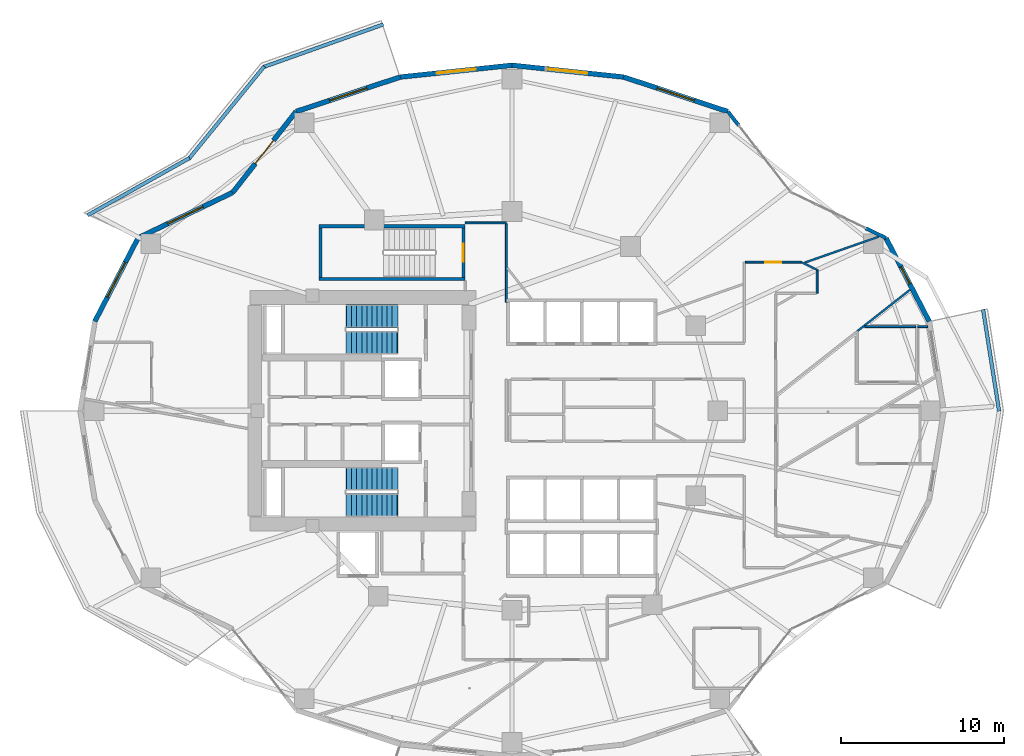
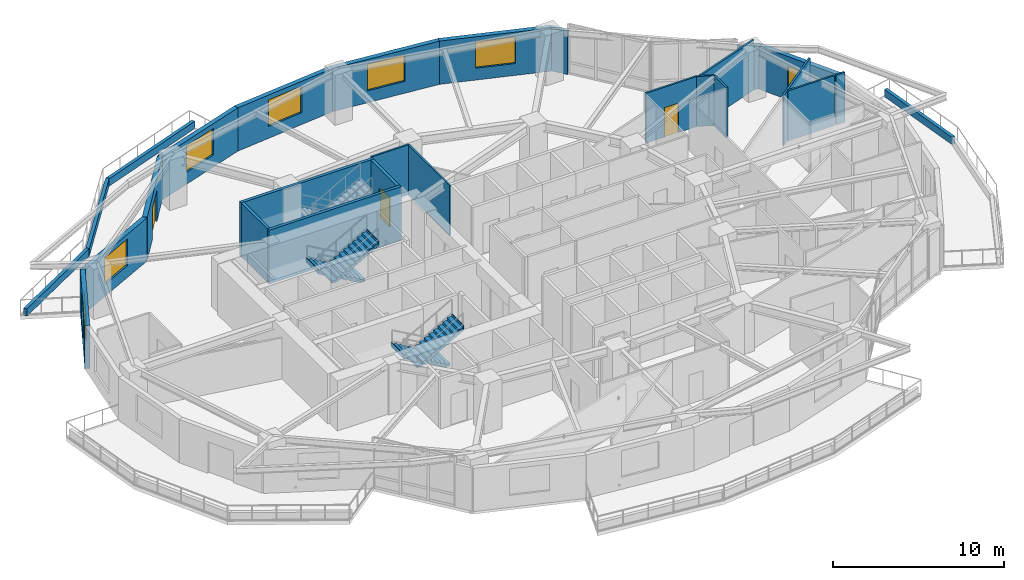
# One storey, part 12 of 19: 27 walls, 7 windows, 4 stair flights, 3 doors, 10 openings, 2 elements without a shape of their own.
"""IFC4 building model written with IfcOpenShell, lengths in metres."""

from ifc_helpers import new_model, si_unit, direction, frame, frame_2d, origin, place, context, subcontext, project, spatial, polyline, rectangle, outline, extrude, material, layer, layer_set, type_object, element, fill, aggregate, save


model = new_model("IFC4")

# Units and contexts
model_context = context("Model", 3, precision=1e-05, world=origin(), true_north=direction((0.0, 1.0)))
body_context = subcontext(model_context, "Body", "Model", "MODEL_VIEW")
ifc_project = project(units=[si_unit("LENGTHUNIT", "METRE"), si_unit("AREAUNIT", "SQUARE_METRE"), si_unit("VOLUMEUNIT", "CUBIC_METRE"), si_unit("PLANEANGLEUNIT", "RADIAN"), si_unit("MASSUNIT", "GRAM", prefix="KILO")], contexts=[model_context])

# Site, building, storey
site_placement = place(None, origin())
site = spatial("IfcSite", under=ifc_project, at=site_placement, CompositionType="ELEMENT")
building_placement = place(site_placement, origin())
building = spatial("IfcBuilding", under=site, at=building_placement, Name="Kolvaren Gate Tower and Convention Centre", CompositionType="ELEMENT")
storey_placement = place(building_placement, frame((0.0, 0.0, 68.85009765625)))
storey = spatial("IfcBuildingStorey", under=building, at=storey_placement, Name="L16", CompositionType="ELEMENT", Elevation=68.85009765625)

# Walls
ifc_material_1 = material(Name="Fire-Rated Acoustic Gypsum Stud Partition", Category="gypsum")
ifc_layer_1 = layer(ifc_material_1, 0.1201171875)
ifc_layer_set_1 = layer_set([ifc_layer_1], Name="Fire-Rated Acoustic Gypsum Stud Partition")
wall_type_1 = type_object("IfcWallType", Name="ARCH-WL-PART-120", PredefinedType="PARTITIONING", material=ifc_layer_set_1)
wall_1_placement = place(storey_placement, frame((27.25, 38.5, 0.0), z_axis=(0.0, 0.0, 1.0), x_axis=(1.0, 0.0, 0.0)))
element("IfcWall", 1, at=wall_1_placement, inside=storey, type_object=wall_type_1, Name="Interior Partition WL-L16-INT-027", PredefinedType="PARTITIONING", context=body_context, shape_type="SweptSolid", body=[
    extrude(rectangle(XDim=2.530029296875, YDim=0.1201171875, at=frame_2d((1.26513671875, 0.0))), origin(), (0.0, 0.0, 1.0), 3.56982421875),
])
wall_2_placement = place(storey_placement, frame((29.780029296875, 33.639892578125, 0.0), z_axis=(0.0, 0.0, 1.0), x_axis=(0.0, 1.0, 0.0)))
element("IfcWall", 2, at=wall_2_placement, inside=storey, type_object=wall_type_1, Name="Interior Partition WL-L16-INT-030", PredefinedType="PARTITIONING", context=body_context, shape_type="SweptSolid", body=[
    extrude(rectangle(XDim=4.798095703125, YDim=0.1201171875, at=frame_2d((2.39892578125, 0.0))), origin(), (0.0, 0.0, 1.0), 3.56982421875),
])

# Wall, opening, door
wall_3_placement = place(storey_placement, frame((44.412109375, 36.10009765625, 0.0), z_axis=(0.0, 0.0, 1.0), x_axis=(1.0, 0.0, 0.0)))
wall_3 = element("IfcWall", 3, at=wall_3_placement, inside=storey, type_object=wall_type_1, Name="Interior Partition WL-L16-INT-035", PredefinedType="PARTITIONING", context=body_context, shape_type="SweptSolid", body=[
    extrude(rectangle(XDim=3.411865234375, YDim=0.1201171875, at=frame_2d((1.7060546875, 0.0))), origin(), (0.0, 0.0, 1.0), 3.56982421875),
])
opening_1_placement = place(wall_3_placement, frame((1.23095703125, 0.0, 0.0)))
opening_1 = element("IfcOpeningElement", 4, at=opening_1_placement, cuts=wall_3, Name="Opening DR-01", PredefinedType="OPENING", context=body_context, shape_type="SweptSolid", body=[
    extrude(rectangle(XDim=0.949951171875, YDim=2.10009765625, at=frame_2d((0.47509765625, 1.050048828125))), frame((0.0, 0.070068359375, 0.0), z_axis=(0.0, -1.0, 0.0), x_axis=(1.0, 0.0, 0.0)), (0.0, 0.0, 1.0), 0.14013671875),
])
ifc_material_2 = material(Name="Painted Architectural Steelwork ASTM A500 Grade C 345 MPa", Category="steel")
door_type_1 = type_object("IfcDoorType", Name="ARCH-DR-RISER-950", OperationType="SINGLE_SWING_RIGHT", PredefinedType="DOOR", material=ifc_material_2)
door_1_placement = place(opening_1_placement, origin())
door_1 = element("IfcDoor", 5, at=door_1_placement, inside=storey, type_object=door_type_1, Name="Open-Plan Office Suite Door", OperationType="SINGLE_SWING_RIGHT", OverallHeight=2.10009765625, OverallWidth=0.949951171875, PredefinedType="DOOR", context=body_context, shape_type="SweptSolid", body=[
    extrude(rectangle(XDim=0.949951171875, YDim=2.10009765625, at=frame_2d((0.47509765625, 1.050048828125))), frame((0.0, 0.02490234375, 0.0), z_axis=(0.0, -1.0, 0.0), x_axis=(1.0, 0.0, 0.0)), (0.0, 0.0, 1.0), 0.050048828125),
])
fill(opening_1, door_1)

# Walls
wall_4_placement = place(storey_placement, frame((47.823974609375, 36.10009765625, 0.0), z_axis=(0.0, 0.0, 1.0), x_axis=(0.901350599951, -0.433090170712, 0.0)))
element("IfcWall", 6, at=wall_4_placement, inside=storey, type_object=wall_type_1, Name="Interior Partition WL-L16-INT-036", PredefinedType="PARTITIONING", context=body_context, shape_type="SweptSolid", body=[
    extrude(rectangle(XDim=1.0830078125, YDim=0.1201171875, at=frame_2d((0.54150390625, 0.0))), origin(), (0.0, 0.0, 1.0), 3.56982421875),
])
wall_5_placement = place(storey_placement, frame((48.800048828125, 34.179931640625, 0.0), z_axis=(0.0, 0.0, 1.0), x_axis=(0.0, 1.0, 0.0)))
element("IfcWall", 7, at=wall_5_placement, inside=storey, type_object=wall_type_1, Name="Interior Partition WL-L16-INT-037", PredefinedType="PARTITIONING", context=body_context, shape_type="SweptSolid", body=[
    extrude(rectangle(XDim=1.451171875, YDim=0.1201171875, at=frame_2d((0.7255859375, 0.0))), origin(), (0.0, 0.0, 1.0), 3.56982421875),
])
wall_6_placement = place(storey_placement, frame((51.25, 31.860107421875, 0.0), z_axis=(0.0, 0.0, 1.0), x_axis=(0.786318338822, 0.617821551932, 0.0)))
element("IfcWall", 8, at=wall_6_placement, inside=storey, type_object=wall_type_1, Name="Interior Partition WL-L16-INT-066 (2)", PredefinedType="PARTITIONING", context=body_context, shape_type="SweptSolid", body=[
    extrude(rectangle(XDim=4.120849609375, YDim=0.1201171875, at=frame_2d((2.060546875, 0.0))), origin(), (0.0, 0.0, 1.0), 3.56982421875),
])
wall_7_placement = place(storey_placement, frame((51.719482421875, 32.14990234375, 0.0), z_axis=(0.0, 0.0, 1.0), x_axis=(1.0, 0.0, 0.0)))
element("IfcWall", 9, at=wall_7_placement, inside=storey, type_object=wall_type_1, Name="Interior Partition WL-L16-INT-069", PredefinedType="PARTITIONING", context=body_context, shape_type="SweptSolid", body=[
    extrude(rectangle(XDim=3.118408203125, YDim=0.1201171875, at=frame_2d((1.55908203125, 0.0))), origin(), (0.0, 0.0, 1.0), 3.56982421875),
])
wall_8_placement = place(storey_placement, frame((54.9619140625, 32.14990234375, 0.0), z_axis=(0.0, 0.0, 1.0), x_axis=(1.0, 0.0, 0.0)))
element("IfcWall", 10, at=wall_8_placement, inside=storey, type_object=wall_type_1, Name="Interior Partition WL-L16-INT-069 (2)", PredefinedType="PARTITIONING", context=body_context, shape_type="SweptSolid", body=[
    extrude(rectangle(XDim=0.59912109375, YDim=0.1201171875, at=frame_2d((0.299560546875, 0.0))), origin(), (0.0, 0.0, 1.0), 3.56982421875),
])
wall_9_placement = place(storey_placement, frame((48.037841796875, 36.06591796875, 0.0), z_axis=(0.0, 0.0, 1.0), x_axis=(0.94378251996, 0.330567020463, 0.0)))
element("IfcWall", 11, at=wall_9_placement, inside=storey, type_object=wall_type_1, Name="Interior Partition WL-L16-INT-072", PredefinedType="PARTITIONING", context=body_context, shape_type="SweptSolid", body=[
    extrude(rectangle(XDim=4.81982421875, YDim=0.1201171875, at=frame_2d((2.409912109375, 0.0))), origin(), (0.0, 0.0, 1.0), 3.56982421875),
])
ifc_material_3 = material(Name="Bogota Sabana Bush-Hammered Sandstone Cladding", Category="masonry")
ifc_layer_2 = layer(ifc_material_3, 0.219970703125)
ifc_layer_set_2 = layer_set([ifc_layer_2], Name="Bogota Sabana Bush-Hammered Sandstone Cladding")
wall_type_2 = type_object("IfcWallType", Name="ARCH-WL-PIER-220", PredefinedType="SOLIDWALL", material=ifc_layer_set_2)
wall_10_placement = place(storey_placement, frame((51.77587890625, 38.173095703125, 0.0), z_axis=(0.0, 0.0, 1.0), x_axis=(0.90131879969, -0.433156347438, 0.0)))
element("IfcWall", 12, at=wall_10_placement, inside=storey, type_object=wall_type_2, Name="Tower L16 Unitised Curtain Wall CW-OFF-UNIT Bay 02 Right Column Pier Wrap", PredefinedType="SOLIDWALL", context=body_context, shape_type="SweptSolid", body=[
    extrude(rectangle(XDim=1.380859375, YDim=0.219970703125, at=frame_2d((0.6904296875, 0.0))), origin(), (0.0, 0.0, 1.0), 3.093017578125),
])
wall_11_placement = place(storey_placement, frame((43.34375, 45.31640625, 0.0), z_axis=(0.0, 0.0, 1.0), x_axis=(0.616387780378, -0.787442762492, 0.0)))
element("IfcWall", 13, at=wall_11_placement, inside=storey, type_object=wall_type_2, Name="Tower L16 Unitised Curtain Wall CW-OFF-UNIT Bay 03 Left Column Pier Wrap", PredefinedType="SOLIDWALL", context=body_context, shape_type="SweptSolid", body=[
    extrude(rectangle(XDim=1.076171875, YDim=0.219970703125, at=frame_2d((0.5380859375, 0.0))), origin(), (0.0, 0.0, 1.0), 3.093017578125),
])
ifc_material_4 = material(Name="Piedmont Cream Honed Limestone Cladding", Category="masonry")
ifc_layer_3 = layer(ifc_material_4, 0.219970703125)
ifc_layer_set_3 = layer_set([ifc_layer_3], Name="Piedmont Cream Honed Limestone Cladding")
wall_type_3 = type_object("IfcWallType", Name="ARCH-WL-PLANTER-220", PredefinedType="PARAPET", material=ifc_layer_set_3)
wall_12_placement = place(storey_placement, frame((14.89306640625, 48.035400390625, 0.0), z_axis=(0.0, 0.0, 1.0), x_axis=(0.942200211781, 0.335050385643, 0.0)))
element("IfcWall", 14, at=wall_12_placement, inside=storey, type_object=wall_type_3, Name="Vertical-Forest Balcony Stone Planter Kerb PK-L16-1.1", PredefinedType="PARAPET", context=body_context, shape_type="SweptSolid", body=[
    extrude(rectangle(XDim=7.806884765625, YDim=0.219970703125, at=frame_2d((3.9033203125, 0.0))), origin(), (0.0, 0.0, 1.0), 0.52001953125),
])
wall_13_placement = place(storey_placement, frame((10.335693359375, 42.411376953125, 0.0), z_axis=(0.0, 0.0, 1.0), x_axis=(0.631819273026, 0.775115737315, 0.0)))
element("IfcWall", 15, at=wall_13_placement, inside=storey, type_object=wall_type_3, Name="Vertical-Forest Balcony Stone Planter Kerb PK-L16-1.2", PredefinedType="PARAPET", context=body_context, shape_type="SweptSolid", body=[
    extrude(rectangle(XDim=7.31591796875, YDim=0.219970703125, at=frame_2d((3.657958984375, 0.0))), origin(), (0.0, 0.0, 1.0), 0.52001953125),
])
wall_14_placement = place(storey_placement, frame((4.14697265625, 38.965576171875, 0.0), z_axis=(0.0, 0.0, 1.0), x_axis=(0.871775109335, 0.489906275468, 0.0)))
element("IfcWall", 16, at=wall_14_placement, inside=storey, type_object=wall_type_3, Name="Vertical-Forest Balcony Stone Planter Kerb PK-L16-1.3", PredefinedType="PARAPET", context=body_context, shape_type="SweptSolid", body=[
    extrude(rectangle(XDim=7.152099609375, YDim=0.219970703125, at=frame_2d((3.576171875, 0.0))), origin(), (0.0, 0.0, 1.0), 0.52001953125),
])
wall_15_placement = place(storey_placement, frame((58.9619140625, 33.2119140625, 0.0), z_axis=(0.0, 0.0, 1.0), x_axis=(0.15545655238, -0.987842730561, 0.0)))
element("IfcWall", 17, at=wall_15_placement, inside=storey, type_object=wall_type_3, Name="Vertical-Forest Balcony Stone Planter Kerb PK-L16-4.3", PredefinedType="PARAPET", context=body_context, shape_type="SweptSolid", body=[
    extrude(rectangle(XDim=6.318115234375, YDim=0.219970703125, at=frame_2d((3.1591796875, 0.0))), origin(), (0.0, 0.0, 1.0), 0.52001953125),
])

# Wall, opening, window
ifc_layer_4 = layer(ifc_material_4, 0.300048828125)
ifc_layer_set_4 = layer_set([ifc_layer_4], Name="Piedmont Cream Honed Limestone Cladding")
wall_type_4 = type_object("IfcWallType", Name="ARCH-WL-STONE-300", PredefinedType="SOLIDWALL", material=ifc_layer_set_4)
wall_16_placement = place(storey_placement, frame((53.0205078125, 37.574951171875, 0.0), z_axis=(0.0, 0.0, 1.0), x_axis=(0.459800981414, -0.888021991558, 0.0)))
wall_16 = element("IfcWall", 18, at=wall_16_placement, inside=storey, type_object=wall_type_4, Name="Tower L16 Honed Stone Spandrel Wall EW-01", PredefinedType="SOLIDWALL", context=body_context, shape_type="SweptSolid", body=[
    extrude(rectangle(XDim=5.744140625, YDim=0.300048828125, at=frame_2d((2.8720703125, 0.0))), origin(), (0.0, 0.0, 1.0), 3.093017578125),
])
opening_2_placement = place(wall_16_placement, frame((1.97998046875, 0.0, 0.719970703125)))
opening_2 = element("IfcOpeningElement", 19, at=opening_2_placement, cuts=wall_16, Name="Opening W-04", PredefinedType="OPENING", context=body_context, shape_type="SweptSolid", body=[
    extrude(rectangle(XDim=1.199951171875, YDim=1.64990234375, at=frame_2d((0.60009765625, 0.824951171875))), frame((0.0, 0.159912109375, 0.0), z_axis=(0.0, -1.0, 0.0), x_axis=(1.0, 0.0, 0.0)), (0.0, 0.0, 1.0), 0.320068359375),
])
ifc_material_5 = material(Name="Low-E Triple Insulated Glazing Unit 44 mm", Category="glass")
window_type_1 = type_object("IfcWindowType", Name="ARCH-WN-NARROW-1200", PartitioningType="SINGLE_PANEL", PredefinedType="WINDOW", material=ifc_material_5)
window_1_placement = place(opening_2_placement, origin())
window_1 = element("IfcWindow", 20, at=window_1_placement, inside=storey, type_object=window_type_1, Name="Tower L16 Punched Stone Facade Window W-01", OverallHeight=1.64990234375, OverallWidth=1.199951171875, PartitioningType="SINGLE_PANEL", PredefinedType="WINDOW", context=body_context, shape_type="SweptSolid", body=[
    extrude(rectangle(XDim=1.199951171875, YDim=1.64990234375, at=frame_2d((0.60009765625, 0.824951171875))), frame((0.0, 0.030029296875, 0.0), z_axis=(0.0, -1.0, 0.0), x_axis=(1.0, 0.0, 0.0)), (0.0, 0.0, 1.0), 0.06005859375),
])
fill(opening_2, window_1)

wall_17_placement = place(storey_placement, frame((36.967529296875, 47.42919921875, 0.0), z_axis=(0.0, 0.0, 1.0), x_axis=(0.949245153629, -0.314537181127, 0.0)))
wall_17 = element("IfcWall", 21, at=wall_17_placement, inside=storey, type_object=wall_type_4, Name="Tower L16 Honed Stone Spandrel Wall EW-04", PredefinedType="SOLIDWALL", context=body_context, shape_type="SweptSolid", body=[
    extrude(rectangle(XDim=6.717041015625, YDim=0.300048828125, at=frame_2d((3.3583984375, 0.0))), origin(), (0.0, 0.0, 1.0), 3.093017578125),
])
opening_3_placement = place(wall_17_placement, frame((2.158935546875, 0.0, 0.85009765625)))
opening_3 = element("IfcOpeningElement", 22, at=opening_3_placement, cuts=wall_17, Name="Opening W-01", PredefinedType="OPENING", context=body_context, shape_type="SweptSolid", body=[
    extrude(rectangle(XDim=2.39990234375, YDim=1.89990234375, at=frame_2d((1.199951171875, 0.949951171875))), frame((0.0, 0.159912109375, 0.0), z_axis=(0.0, -1.0, 0.0), x_axis=(1.0, 0.0, 0.0)), (0.0, 0.0, 1.0), 0.320068359375),
])
window_type_2 = type_object("IfcWindowType", Name="ARCH-WN-OFF-2400", PartitioningType="SINGLE_PANEL", PredefinedType="WINDOW", material=ifc_material_5)
window_2_placement = place(opening_3_placement, origin())
window_2 = element("IfcWindow", 23, at=window_2_placement, inside=storey, type_object=window_type_2, Name="Tower L16 Punched Stone Facade Window W-04", OverallHeight=1.89990234375, OverallWidth=2.39990234375, PartitioningType="SINGLE_PANEL", PredefinedType="WINDOW", context=body_context, shape_type="SweptSolid", body=[
    extrude(rectangle(XDim=2.39990234375, YDim=1.89990234375, at=frame_2d((1.199951171875, 0.949951171875))), frame((0.0, 0.030029296875, 0.0), z_axis=(0.0, -1.0, 0.0), x_axis=(1.0, 0.0, 0.0)), (0.0, 0.0, 1.0), 0.06005859375),
])
fill(opening_3, window_2)

wall_18_placement = place(storey_placement, frame((30.125, 48.14990234375, 0.0), z_axis=(0.0, 0.0, 1.0), x_axis=(0.994498840295, -0.104747585419, 0.0)))
wall_18 = element("IfcWall", 24, at=wall_18_placement, inside=storey, type_object=wall_type_4, Name="Tower L16 Honed Stone Spandrel Wall EW-05", PredefinedType="SOLIDWALL", context=body_context, shape_type="SweptSolid", body=[
    extrude(rectangle(XDim=6.88037109375, YDim=0.300048828125, at=frame_2d((3.440185546875, 0.0))), origin(), (0.0, 0.0, 1.0), 3.093017578125),
])
opening_4_placement = place(wall_18_placement, frame((2.239990234375, 0.0, 0.85009765625)))
opening_4 = element("IfcOpeningElement", 25, at=opening_4_placement, cuts=wall_18, Name="Opening W-01", PredefinedType="OPENING", context=body_context, shape_type="SweptSolid", body=[
    extrude(rectangle(XDim=2.39990234375, YDim=1.89990234375, at=frame_2d((1.199951171875, 0.949951171875))), frame((0.0, 0.159912109375, 0.0), z_axis=(0.0, -1.0, 0.0), x_axis=(1.0, 0.0, 0.0)), (0.0, 0.0, 1.0), 0.320068359375),
])
window_3_placement = place(opening_4_placement, origin())
window_3 = element("IfcWindow", 26, at=window_3_placement, inside=storey, type_object=window_type_2, Name="Tower L16 Punched Stone Facade Window W-05", OverallHeight=1.89990234375, OverallWidth=2.39990234375, PartitioningType="SINGLE_PANEL", PredefinedType="WINDOW", context=body_context, shape_type="SweptSolid", body=[
    extrude(rectangle(XDim=2.39990234375, YDim=1.89990234375, at=frame_2d((1.199951171875, 0.949951171875))), frame((0.0, 0.030029296875, 0.0), z_axis=(0.0, -1.0, 0.0), x_axis=(1.0, 0.0, 0.0)), (0.0, 0.0, 1.0), 0.06005859375),
])
fill(opening_4, window_3)

wall_19_placement = place(storey_placement, frame((23.282470703125, 47.42919921875, 0.0), z_axis=(0.0, 0.0, 1.0), x_axis=(0.994498840295, 0.104747585419, 0.0)))
wall_19 = element("IfcWall", 27, at=wall_19_placement, inside=storey, type_object=wall_type_4, Name="Tower L16 Honed Stone Spandrel Wall EW-06", PredefinedType="SOLIDWALL", context=body_context, shape_type="SweptSolid", body=[
    extrude(rectangle(XDim=6.88037109375, YDim=0.300048828125, at=frame_2d((3.440185546875, 0.0))), origin(), (0.0, 0.0, 1.0), 3.093017578125),
])
opening_5_placement = place(wall_19_placement, frame((2.239990234375, 0.0, 0.85009765625)))
opening_5 = element("IfcOpeningElement", 28, at=opening_5_placement, cuts=wall_19, Name="Opening W-01", PredefinedType="OPENING", context=body_context, shape_type="SweptSolid", body=[
    extrude(rectangle(XDim=2.39990234375, YDim=1.89990234375, at=frame_2d((1.199951171875, 0.949951171875))), frame((0.0, 0.159912109375, 0.0), z_axis=(0.0, -1.0, 0.0), x_axis=(1.0, 0.0, 0.0)), (0.0, 0.0, 1.0), 0.320068359375),
])
window_4_placement = place(opening_5_placement, origin())
window_4 = element("IfcWindow", 29, at=window_4_placement, inside=storey, type_object=window_type_2, Name="Tower L16 Punched Stone Facade Window W-06", OverallHeight=1.89990234375, OverallWidth=2.39990234375, PartitioningType="SINGLE_PANEL", PredefinedType="WINDOW", context=body_context, shape_type="SweptSolid", body=[
    extrude(rectangle(XDim=2.39990234375, YDim=1.89990234375, at=frame_2d((1.199951171875, 0.949951171875))), frame((0.0, 0.030029296875, 0.0), z_axis=(0.0, -1.0, 0.0), x_axis=(1.0, 0.0, 0.0)), (0.0, 0.0, 1.0), 0.06005859375),
])
fill(opening_5, window_4)

wall_20_placement = place(storey_placement, frame((16.90625, 45.31640625, 0.0), z_axis=(0.0, 0.0, 1.0), x_axis=(0.949245153629, 0.314537181127, 0.0)))
wall_20 = element("IfcWall", 30, at=wall_20_placement, inside=storey, type_object=wall_type_4, Name="Tower L16 Honed Stone Spandrel Wall EW-07", PredefinedType="SOLIDWALL", context=body_context, shape_type="SweptSolid", body=[
    extrude(rectangle(XDim=6.717041015625, YDim=0.300048828125, at=frame_2d((3.3583984375, 0.0))), origin(), (0.0, 0.0, 1.0), 3.093017578125),
])
opening_6_placement = place(wall_20_placement, frame((2.158935546875, 0.0, 0.85009765625)))
opening_6 = element("IfcOpeningElement", 31, at=opening_6_placement, cuts=wall_20, Name="Opening W-01", PredefinedType="OPENING", context=body_context, shape_type="SweptSolid", body=[
    extrude(rectangle(XDim=2.39990234375, YDim=1.89990234375, at=frame_2d((1.199951171875, 0.949951171875))), frame((0.0, 0.159912109375, 0.0), z_axis=(0.0, -1.0, 0.0), x_axis=(1.0, 0.0, 0.0)), (0.0, 0.0, 1.0), 0.320068359375),
])
window_5_placement = place(opening_6_placement, origin())
window_5 = element("IfcWindow", 32, at=window_5_placement, inside=storey, type_object=window_type_2, Name="Tower L16 Punched Stone Facade Window W-07", OverallHeight=1.89990234375, OverallWidth=2.39990234375, PartitioningType="SINGLE_PANEL", PredefinedType="WINDOW", context=body_context, shape_type="SweptSolid", body=[
    extrude(rectangle(XDim=2.39990234375, YDim=1.89990234375, at=frame_2d((1.199951171875, 0.949951171875))), frame((0.0, 0.030029296875, 0.0), z_axis=(0.0, -1.0, 0.0), x_axis=(1.0, 0.0, 0.0)), (0.0, 0.0, 1.0), 0.06005859375),
])
fill(opening_6, window_5)

# Wall, opening, door
wall_21_placement = place(storey_placement, frame((13.026123046875, 40.360107421875, 0.0), z_axis=(0.0, 0.0, 1.0), x_axis=(0.616434798832, 0.78740595552, 0.0)))
wall_21 = element("IfcWall", 33, at=wall_21_placement, inside=storey, type_object=wall_type_4, Name="Tower L16 Honed Stone Spandrel Wall EW-08", PredefinedType="SOLIDWALL", context=body_context, shape_type="SweptSolid", body=[
    extrude(rectangle(XDim=6.29443359375, YDim=0.300048828125, at=frame_2d((3.147216796875, 0.0))), origin(), (0.0, 0.0, 1.0), 3.093017578125),
])
opening_7_placement = place(wall_21_placement, frame((2.2470703125, 0.0, 0.0)))
opening_7 = element("IfcOpeningElement", 34, at=opening_7_placement, cuts=wall_21, Name="Opening DB-01", PredefinedType="OPENING", context=body_context, shape_type="SweptSolid", body=[
    extrude(rectangle(XDim=1.800048828125, YDim=2.25, at=frame_2d((0.89990234375, 1.125))), frame((0.0, 0.159912109375, 0.0), z_axis=(0.0, -1.0, 0.0), x_axis=(1.0, 0.0, 0.0)), (0.0, 0.0, 1.0), 0.320068359375),
])
ifc_material_6 = material(Name="Anodized Architectural Aluminium Alloy 6063-T6", Category="aluminium")
door_type_2 = type_object("IfcDoorType", Name="ARCH-DR-BALC-1800", OperationType="SLIDING_TO_LEFT", PredefinedType="DOOR", material=ifc_material_6)
door_2_placement = place(opening_7_placement, origin())
door_2 = element("IfcDoor", 35, at=door_2_placement, inside=storey, type_object=door_type_2, Name="Planted Sky Terrace Access Door DB-L16-08", OperationType="SLIDING_TO_LEFT", OverallHeight=2.25, OverallWidth=1.800048828125, PredefinedType="DOOR", context=body_context, shape_type="SweptSolid", body=[
    extrude(rectangle(XDim=1.800048828125, YDim=2.25, at=frame_2d((0.89990234375, 1.125))), frame((0.0, 0.02490234375, 0.0), z_axis=(0.0, -1.0, 0.0), x_axis=(1.0, 0.0, 0.0)), (0.0, 0.0, 1.0), 0.050048828125),
])
fill(opening_7, door_2)

# Wall, opening, window
wall_22_placement = place(storey_placement, frame((7.2294921875, 37.574951171875, 0.0), z_axis=(0.0, 0.0, 1.0), x_axis=(0.901354747727, 0.433081538224, 0.0)))
wall_22 = element("IfcWall", 36, at=wall_22_placement, inside=storey, type_object=wall_type_4, Name="Tower L16 Honed Stone Spandrel Wall EW-09", PredefinedType="SOLIDWALL", context=body_context, shape_type="SweptSolid", body=[
    extrude(rectangle(XDim=6.430908203125, YDim=0.300048828125, at=frame_2d((3.21533203125, 0.0))), origin(), (0.0, 0.0, 1.0), 3.093017578125),
])
opening_8_placement = place(wall_22_placement, frame((2.014892578125, 0.0, 0.85009765625)))
opening_8 = element("IfcOpeningElement", 37, at=opening_8_placement, cuts=wall_22, Name="Opening W-01", PredefinedType="OPENING", context=body_context, shape_type="SweptSolid", body=[
    extrude(rectangle(XDim=2.39990234375, YDim=1.89990234375, at=frame_2d((1.199951171875, 0.949951171875))), frame((0.0, 0.159912109375, 0.0), z_axis=(0.0, -1.0, 0.0), x_axis=(1.0, 0.0, 0.0)), (0.0, 0.0, 1.0), 0.320068359375),
])
window_6_placement = place(opening_8_placement, origin())
window_6 = element("IfcWindow", 38, at=window_6_placement, inside=storey, type_object=window_type_2, Name="Tower L16 Punched Stone Facade Window W-09", OverallHeight=1.89990234375, OverallWidth=2.39990234375, PartitioningType="SINGLE_PANEL", PredefinedType="WINDOW", context=body_context, shape_type="SweptSolid", body=[
    extrude(rectangle(XDim=2.39990234375, YDim=1.89990234375, at=frame_2d((1.199951171875, 0.949951171875))), frame((0.0, 0.030029296875, 0.0), z_axis=(0.0, -1.0, 0.0), x_axis=(1.0, 0.0, 0.0)), (0.0, 0.0, 1.0), 0.06005859375),
])
fill(opening_8, window_6)

wall_23_placement = place(storey_placement, frame((4.58837890625, 32.47412109375, 0.0), z_axis=(0.0, 0.0, 1.0), x_axis=(0.459800981414, 0.888021991558, 0.0)))
wall_23 = element("IfcWall", 39, at=wall_23_placement, inside=storey, type_object=wall_type_4, Name="Tower L16 Honed Stone Spandrel Wall EW-10", PredefinedType="SOLIDWALL", context=body_context, shape_type="SweptSolid", body=[
    extrude(rectangle(XDim=5.744140625, YDim=0.300048828125, at=frame_2d((2.8720703125, 0.0))), origin(), (0.0, 0.0, 1.0), 3.093017578125),
])
opening_9_placement = place(wall_23_placement, frame((1.672119140625, 0.0, 0.85009765625)))
opening_9 = element("IfcOpeningElement", 40, at=opening_9_placement, cuts=wall_23, Name="Opening W-01", PredefinedType="OPENING", context=body_context, shape_type="SweptSolid", body=[
    extrude(rectangle(XDim=2.39990234375, YDim=1.89990234375, at=frame_2d((1.199951171875, 0.949951171875))), frame((0.0, 0.159912109375, 0.0), z_axis=(0.0, -1.0, 0.0), x_axis=(1.0, 0.0, 0.0)), (0.0, 0.0, 1.0), 0.320068359375),
])
window_7_placement = place(opening_9_placement, origin())
window_7 = element("IfcWindow", 41, at=window_7_placement, inside=storey, type_object=window_type_2, Name="Tower L16 Punched Stone Facade Window W-10", OverallHeight=1.89990234375, OverallWidth=2.39990234375, PartitioningType="SINGLE_PANEL", PredefinedType="WINDOW", context=body_context, shape_type="SweptSolid", body=[
    extrude(rectangle(XDim=2.39990234375, YDim=1.89990234375, at=frame_2d((1.199951171875, 0.949951171875))), frame((0.0, 0.030029296875, 0.0), z_axis=(0.0, -1.0, 0.0), x_axis=(1.0, 0.0, 0.0)), (0.0, 0.0, 1.0), 0.06005859375),
])
fill(opening_9, window_7)

# Wall, opening, door
ifc_material_7 = material(Name="Concrete C50/60", Category="concrete")
ifc_layer_5 = layer(ifc_material_7, 0.199951171875)
ifc_layer_set_5 = layer_set([ifc_layer_5], Name="Concrete C50/60")
wall_type_5 = type_object("IfcWallType", Name="STR-WL-SHAFT-200", PredefinedType="SHEAR", material=ifc_layer_set_5)
wall_24_placement = place(storey_placement, frame((27.14990234375, 35.159912109375, -0.280029296875), z_axis=(0.0, 0.0, 1.0), x_axis=(0.0, 1.0, 0.0)))
wall_24 = element("IfcWall", 42, at=wall_24_placement, inside=storey, type_object=wall_type_5, Name="Tower Mid-Zone Exit Stair ST-T3 L16 Structural Shear Enclosure Wall NEAR", PredefinedType="SHEAR", context=body_context, shape_type="SweptSolid", body=[
    extrude(rectangle(XDim=3.0400390625, YDim=0.199951171875, at=frame_2d((1.52001953125, 0.0))), origin(), (0.0, 0.0, 1.0), 3.849853515625),
])
opening_10_placement = place(wall_24_placement, frame((0.969970703125, 0.0, 0.280029296875)))
opening_10 = element("IfcOpeningElement", 43, at=opening_10_placement, cuts=wall_24, Name="Opening DS-01", PredefinedType="OPENING", context=body_context, shape_type="SweptSolid", body=[
    extrude(rectangle(XDim=1.10009765625, YDim=2.14990234375, at=frame_2d((0.550048828125, 1.074951171875))), frame((0.0, 0.10986328125, 0.0), z_axis=(0.0, -1.0, 0.0), x_axis=(1.0, 0.0, 0.0)), (0.0, 0.0, 1.0), 0.219970703125),
])
door_type_3 = type_object("IfcDoorType", Name="ARCH-DR-STAIR-1100", OperationType="SINGLE_SWING_LEFT", PredefinedType="DOOR", material=ifc_material_2)
door_3_placement = place(opening_10_placement, origin())
door_3 = element("IfcDoor", 44, at=door_3_placement, inside=storey, type_object=door_type_3, Name="Tower Mid-Zone Exit Stair ST-T3 L16 Fire Exit Stair Door", OperationType="SINGLE_SWING_RIGHT", OverallHeight=2.14990234375, OverallWidth=1.10009765625, PredefinedType="DOOR", context=body_context, shape_type="SweptSolid", body=[
    extrude(rectangle(XDim=1.10009765625, YDim=2.14990234375, at=frame_2d((0.550048828125, 1.074951171875))), frame((0.0, 0.02490234375, 0.0), z_axis=(0.0, -1.0, 0.0), x_axis=(1.0, 0.0, 0.0)), (0.0, 0.0, 1.0), 0.050048828125),
])
fill(opening_10, door_3)

# Walls
wall_25_placement = place(storey_placement, frame((18.39990234375, 35.159912109375, -0.280029296875), z_axis=(0.0, 0.0, 1.0), x_axis=(0.0, 1.0, 0.0)))
element("IfcWall", 45, at=wall_25_placement, inside=storey, type_object=wall_type_5, Name="Tower Mid-Zone Exit Stair ST-T3 L16 Structural Shear Enclosure Wall FAR", PredefinedType="SHEAR", context=body_context, shape_type="SweptSolid", body=[
    extrude(rectangle(XDim=3.0400390625, YDim=0.199951171875, at=frame_2d((1.52001953125, 0.0))), origin(), (0.0, 0.0, 1.0), 3.849853515625),
])
for number, where, z_axis, x_axis, name in (
    (46, (18.300048828125, 38.300048828125, -0.280029296875), (0.0, 0.0, 1.0), (1.0, 0.0, 0.0), "Tower Mid-Zone Exit Stair ST-T3 L16 Structural Shear Enclosure Wall LEFT"),
    (47, (18.300048828125, 35.06005859375, -0.280029296875), (0.0, 0.0, 1.0), (1.0, 0.0, 0.0), "Tower Mid-Zone Exit Stair ST-T3 L16 Structural Shear Enclosure Wall RGHT"),
):
    element("IfcWall", number, at=place(storey_placement, frame(where, z_axis=z_axis, x_axis=x_axis)), inside=storey, type_object=wall_type_5, Name=name, PredefinedType="SHEAR", context=body_context, shape_type="SweptSolid", body=[
        extrude(rectangle(XDim=8.949951171875, YDim=0.199951171875, at=frame_2d((4.47509765625, 0.0))), origin(), (0.0, 0.0, 1.0), 3.849853515625),
    ])

# Stair, stair flights
stair_type = type_object("IfcStairType", Name="STR-STAIR-CORE", PredefinedType="HALF_TURN_STAIR", material=ifc_material_7)
stair_1_placement = place(storey_placement, origin())
stair_1 = element("IfcStair", 48, at=stair_1_placement, inside=storey, type_object=stair_type, Name="L16 Tower North Exit Stair ST-T1", PredefinedType="HALF_TURN_STAIR")
stair_flight_type = type_object("IfcStairFlightType", Name="STR-SFL-1420", PredefinedType="STRAIGHT", material=ifc_material_7)
stair_flight_1_placement = place(storey_placement, frame((23.10009765625, 32.7900390625, 0.0), z_axis=(0.0, 0.0, 1.0), x_axis=(-1.0, 0.0, 0.0)))
stair_flight_1 = element("IfcStairFlight", 49, at=stair_flight_1_placement, type_object=stair_flight_type, Name="ST-T1 flight 1", NumberOfRisers=11, NumberOfTreads=10, PredefinedType="STRAIGHT", RiserHeight=0.175, TreadLength=0.31, context=body_context, shape_type="SweptSolid", body=[
    extrude(outline(polyline([(-0.034912109375, 0.0), (-0.034912109375, 0.175048828125), (0.31005859375, 0.175048828125), (0.31005859375, 0.35009765625), (0.6201171875, 0.35009765625), (0.6201171875, 0.52490234375), (0.929931640625, 0.52490234375), (0.929931640625, 0.699951171875), (1.239990234375, 0.699951171875), (1.239990234375, 0.875), (1.550048828125, 0.875), (1.550048828125, 1.050048828125), (1.860107421875, 1.050048828125), (1.860107421875, 1.22509765625), (2.169921875, 1.22509765625), (2.169921875, 1.39990234375), (2.47998046875, 1.39990234375), (2.47998046875, 1.574951171875), (2.7900390625, 1.574951171875), (2.7900390625, 1.75), (3.10009765625, 1.75), (3.10009765625, 1.925048828125), (3.14501953125, 1.925048828125), (3.14501953125, 1.764892578125), (3.10009765625, 1.577880859375), (0.304931640625, 0.0), (-0.034912109375, 0.0)])), frame((0.0, 0.7099609375, 0.0), z_axis=(0.0, -1.0, 0.0), x_axis=(1.0, 0.0, 0.0)), (0.0, 0.0, 1.0), 1.419921875),
])
stair_flight_2_placement = place(storey_placement, frame((20.0, 31.169921875, 1.9248046875), z_axis=(0.0, 0.0, 1.0), x_axis=(1.0, 0.0, 0.0)))
stair_flight_2 = element("IfcStairFlight", 50, at=stair_flight_2_placement, type_object=stair_flight_type, Name="ST-T1 flight 2", NumberOfRisers=11, NumberOfTreads=10, PredefinedType="STRAIGHT", RiserHeight=0.175, TreadLength=0.31, context=body_context, shape_type="SweptSolid", body=[
    extrude(outline(polyline([(-0.034912109375, 0.0), (-0.034912109375, 0.175048828125), (0.31005859375, 0.175048828125), (0.31005859375, 0.35009765625), (0.6201171875, 0.35009765625), (0.6201171875, 0.52490234375), (0.929931640625, 0.52490234375), (0.929931640625, 0.699951171875), (1.239990234375, 0.699951171875), (1.239990234375, 0.875), (1.550048828125, 0.875), (1.550048828125, 1.050048828125), (1.860107421875, 1.050048828125), (1.860107421875, 1.22509765625), (2.169921875, 1.22509765625), (2.169921875, 1.39990234375), (2.47998046875, 1.39990234375), (2.47998046875, 1.574951171875), (2.7900390625, 1.574951171875), (2.7900390625, 1.75), (3.10009765625, 1.75), (3.10009765625, 1.925048828125), (3.14501953125, 1.925048828125), (3.14501953125, 1.764892578125), (3.10009765625, 1.577880859375), (0.304931640625, 0.0), (-0.034912109375, 0.0)])), frame((0.0, 0.7099609375, 0.0), z_axis=(0.0, -1.0, 0.0), x_axis=(1.0, 0.0, 0.0)), (0.0, 0.0, 1.0), 1.419921875),
])
aggregate(stair_1, [stair_flight_1, stair_flight_2])

stair_2_placement = place(storey_placement, origin())
stair_2 = element("IfcStair", 51, at=stair_2_placement, inside=storey, type_object=stair_type, Name="L16 Tower South Exit Stair ST-T2", PredefinedType="HALF_TURN_STAIR")
stair_flight_3_placement = place(storey_placement, frame((23.10009765625, 22.830078125, 0.0), z_axis=(0.0, 0.0, 1.0), x_axis=(-1.0, 0.0, 0.0)))
stair_flight_3 = element("IfcStairFlight", 52, at=stair_flight_3_placement, type_object=stair_flight_type, Name="ST-T2 flight 1", NumberOfRisers=11, NumberOfTreads=10, PredefinedType="STRAIGHT", RiserHeight=0.175, TreadLength=0.31, context=body_context, shape_type="SweptSolid", body=[
    extrude(outline(polyline([(-0.034912109375, 0.0), (-0.034912109375, 0.175048828125), (0.31005859375, 0.175048828125), (0.31005859375, 0.35009765625), (0.6201171875, 0.35009765625), (0.6201171875, 0.52490234375), (0.929931640625, 0.52490234375), (0.929931640625, 0.699951171875), (1.239990234375, 0.699951171875), (1.239990234375, 0.875), (1.550048828125, 0.875), (1.550048828125, 1.050048828125), (1.860107421875, 1.050048828125), (1.860107421875, 1.22509765625), (2.169921875, 1.22509765625), (2.169921875, 1.39990234375), (2.47998046875, 1.39990234375), (2.47998046875, 1.574951171875), (2.7900390625, 1.574951171875), (2.7900390625, 1.75), (3.10009765625, 1.75), (3.10009765625, 1.925048828125), (3.14501953125, 1.925048828125), (3.14501953125, 1.764892578125), (3.10009765625, 1.577880859375), (0.304931640625, 0.0), (-0.034912109375, 0.0)])), frame((0.0, 0.7099609375, 0.0), z_axis=(0.0, -1.0, 0.0), x_axis=(1.0, 0.0, 0.0)), (0.0, 0.0, 1.0), 1.419921875),
])
stair_flight_4_placement = place(storey_placement, frame((20.0, 21.2099609375, 1.9248046875), z_axis=(0.0, 0.0, 1.0), x_axis=(1.0, 0.0, 0.0)))
stair_flight_4 = element("IfcStairFlight", 53, at=stair_flight_4_placement, type_object=stair_flight_type, Name="ST-T2 flight 2", NumberOfRisers=11, NumberOfTreads=10, PredefinedType="STRAIGHT", RiserHeight=0.175, TreadLength=0.31, context=body_context, shape_type="SweptSolid", body=[
    extrude(outline(polyline([(-0.034912109375, 0.0), (-0.034912109375, 0.175048828125), (0.31005859375, 0.175048828125), (0.31005859375, 0.35009765625), (0.6201171875, 0.35009765625), (0.6201171875, 0.52490234375), (0.929931640625, 0.52490234375), (0.929931640625, 0.699951171875), (1.239990234375, 0.699951171875), (1.239990234375, 0.875), (1.550048828125, 0.875), (1.550048828125, 1.050048828125), (1.860107421875, 1.050048828125), (1.860107421875, 1.22509765625), (2.169921875, 1.22509765625), (2.169921875, 1.39990234375), (2.47998046875, 1.39990234375), (2.47998046875, 1.574951171875), (2.7900390625, 1.574951171875), (2.7900390625, 1.75), (3.10009765625, 1.75), (3.10009765625, 1.925048828125), (3.14501953125, 1.925048828125), (3.14501953125, 1.764892578125), (3.10009765625, 1.577880859375), (0.304931640625, 0.0), (-0.034912109375, 0.0)])), frame((0.0, 0.7099609375, 0.0), z_axis=(0.0, -1.0, 0.0), x_axis=(1.0, 0.0, 0.0)), (0.0, 0.0, 1.0), 1.419921875),
])
aggregate(stair_2, [stair_flight_3, stair_flight_4])

save(model, "model.ifc")
